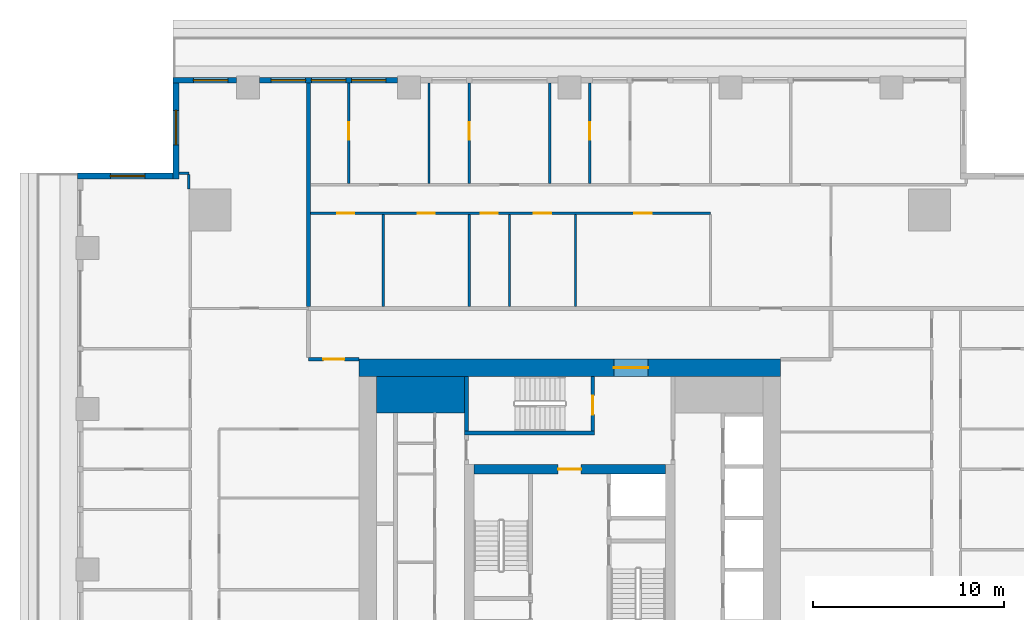
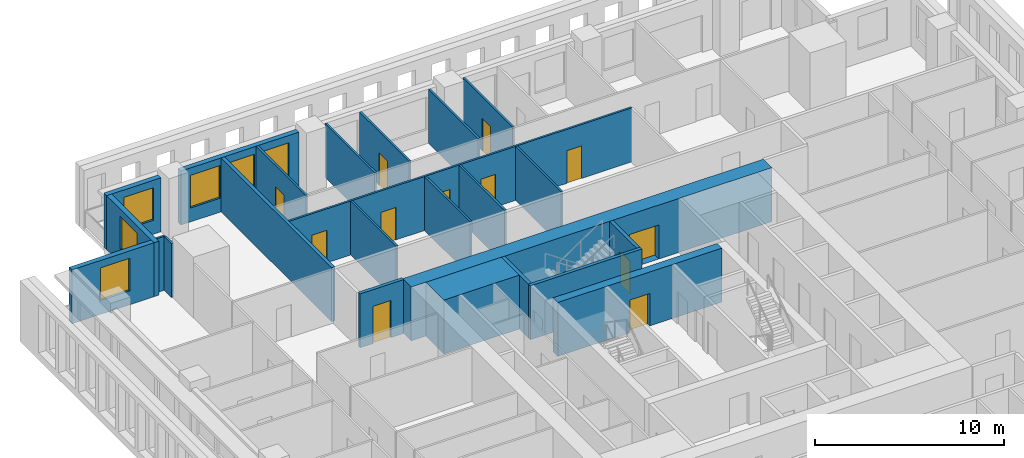
# One storey, part 7 of 14: 24 walls, 12 doors, 6 windows, 18 openings.
"""IFC4 building model written with IfcOpenShell, lengths in metres."""

import ifcopenshell
import ifcopenshell.guid

model = None  # the IFC model being written
_history = None  # IfcOwnerHistory: only IFC2X3 demands one
_inside = {}  # id of a spatial element -> (the spatial element, [elements in it])
_under = {}  # id of a project, library or spatial element -> (it, [spatial elements below it])
_declared = {}  # id of a project -> (the project, [libraries it declares])
_typed = {}  # id of a type object -> (the type object, [elements of that type])
_made_of = {}  # id of a material, layer set ... -> (it, [elements and type objects made of it])


def new_model(schema):
    """Start an empty IFC model of exactly this schema.

    Asked for "IFC4X3", IfcOpenShell would pick the latest addendum, in which some entities
    have other attributes; the version numbers below select the first issue.
    IFC2X3 requires an IfcOwnerHistory on every rooted entity: one is made here for all.
    """
    global model, _history
    if schema == "IFC4X3":
        model = ifcopenshell.file(schema_version=(4, 3, 0, 0))
    else:
        model = ifcopenshell.file(schema=schema)
    _inside.clear()
    _under.clear()
    _declared.clear()
    _typed.clear()
    _made_of.clear()
    _history = None
    if model.schema == "IFC2X3":
        org = make("IfcOrganization", Name="unknown")
        user = make(
            "IfcPersonAndOrganization",
            ThePerson=make("IfcPerson", FamilyName="unknown"),
            TheOrganization=org,
        )
        app = make(
            "IfcApplication",
            ApplicationDeveloper=org,
            Version="unknown",
            ApplicationFullName="unknown",
            ApplicationIdentifier="unknown",
        )
        _history = make(
            "IfcOwnerHistory",
            OwningUser=user,
            OwningApplication=app,
            ChangeAction="ADDED",
            CreationDate=0,
        )
    return model


def make(cls, **values):
    """One entity of the class cls with the attributes given. An attribute that is None is left unset."""
    return model.create_entity(
        cls, **{name: value for name, value in values.items() if value is not None}
    )


def rooted(cls, **values):
    """An entity with a GlobalId (a new one), such as an element, a storey or a relation."""
    return make(cls, GlobalId=ifcopenshell.guid.new(), OwnerHistory=_history, **values)


def si_unit(unit_type, name, prefix=None):
    """IfcSIUnit, for example si_unit("LENGTHUNIT", "METRE", prefix="MILLI")."""
    return make("IfcSIUnit", UnitType=unit_type, Prefix=prefix, Name=name)


def assignment(units):
    """IfcUnitAssignment: the units of a project."""
    return None if units is None else make("IfcUnitAssignment", Units=units)


def point(xyz):
    """IfcCartesianPoint."""
    return None if xyz is None else make("IfcCartesianPoint", Coordinates=xyz)


def direction(xyz):
    """IfcDirection."""
    return None if xyz is None else make("IfcDirection", DirectionRatios=xyz)


def frame(location, z_axis=None, x_axis=None):
    """IfcAxis2Placement3D, a coordinate frame: its origin and axes. An axis left out is left unset."""
    return make(
        "IfcAxis2Placement3D",
        Location=point(location),
        Axis=direction(z_axis),
        RefDirection=direction(x_axis),
    )


def frame_2d(location, x_axis=None):
    """IfcAxis2Placement2D, a coordinate frame in the plane: its origin and x axis."""
    return make(
        "IfcAxis2Placement2D", Location=point(location), RefDirection=direction(x_axis)
    )


def origin():
    """The frame at (0, 0, 0) with its axes left unset."""
    return frame((0.0, 0.0, 0.0))


def place(relative_to, where):
    """IfcLocalPlacement: puts the frame where relative to a parent placement (None: the world)."""
    return make(
        "IfcLocalPlacement", PlacementRelTo=relative_to, RelativePlacement=where
    )


def context(
    kind, dimensions, precision=None, world=None, true_north=None, identifier=None
):
    """IfcGeometricRepresentationContext, for example the 3D "Model" context."""
    return make(
        "IfcGeometricRepresentationContext",
        ContextIdentifier=identifier,
        ContextType=kind,
        CoordinateSpaceDimension=dimensions,
        Precision=precision,
        WorldCoordinateSystem=world,
        TrueNorth=true_north,
    )


def subcontext(parent, identifier, kind, view, scale=None):
    """IfcGeometricRepresentationSubContext, for example "Body" below "Model"."""
    return make(
        "IfcGeometricRepresentationSubContext",
        ContextIdentifier=identifier,
        ContextType=kind,
        ParentContext=parent,
        TargetScale=scale,
        TargetView=view,
    )


def project(units=None, contexts=None):
    """IfcProject with its units and contexts."""
    return rooted(
        "IfcProject",
        Name="project",
        RepresentationContexts=contexts,
        UnitsInContext=assignment(units),
    )


def spatial(cls, under=None, at=None, **own):
    """A site, building, storey or space (cls), placed at a placement, below another one or the project."""
    s = rooted(cls, ObjectPlacement=at, **own)
    if under is not None:
        _under.setdefault(under.id(), (under, []))[1].append(s)
    return s


def profile(cls, at=None, kind="AREA", **sizes):
    """A parametric profile (cls). Its sizes go by their IFC names, for example OverallWidth=200.0."""
    return make(cls, ProfileType=kind, Position=at, **sizes)


def rectangle(**sizes):
    """IfcRectangleProfileDef."""
    return profile("IfcRectangleProfileDef", **sizes)


def extrude(swept, where, along, depth):
    """IfcExtrudedAreaSolid: the profile swept, set in the frame where, extruded along a direction by depth."""
    return make(
        "IfcExtrudedAreaSolid",
        SweptArea=swept,
        Position=where,
        ExtrudedDirection=direction(along),
        Depth=depth,
    )


def shape(context_of_items, identifier, shape_type, items):
    """IfcShapeRepresentation: the items that make up one representation, for example the "Body"."""
    return make(
        "IfcShapeRepresentation",
        ContextOfItems=context_of_items,
        RepresentationIdentifier=identifier,
        RepresentationType=shape_type,
        Items=items,
    )


def material(Name=None, Category=None):
    """IfcMaterial."""
    return make("IfcMaterial", Name=Name, Category=Category)


def layer(
    of_material, thickness, ventilated=None, Name=None, Category=None, Priority=None
):
    """IfcMaterialLayer: one layer of a wall or slab, of a material (None: an air gap)."""
    return make(
        "IfcMaterialLayer",
        Material=of_material,
        LayerThickness=thickness,
        IsVentilated=ventilated,
        Name=Name,
        Category=Category,
        Priority=Priority,
    )


def layer_set(layers, Name=None):
    """IfcMaterialLayerSet."""
    return make("IfcMaterialLayerSet", MaterialLayers=layers, LayerSetName=Name)


def made_of(thing, what):
    """Note that an element or type object is made of a material, layer set ...; save() writes the relation."""
    if what is not None:
        _made_of.setdefault(what.id(), (what, []))[1].append(thing)
    return thing


def type_object(cls, material=None, **own):
    """A type object (cls), such as IfcWallType, which elements share."""
    return made_of(rooted(cls, **own), material)


def element(
    cls,
    number,
    at=None,
    inside=None,
    cuts=None,
    type_object=None,
    material=None,
    context=None,
    identifier="Body",
    shape_type=None,
    held_by="IfcProductDefinitionShape",
    body=None,
    shapes=None,
    **own,
):
    """One element of the class cls, such as IfcWall. Its Tag is "e" and its number.

    at: its placement. inside: the storey or other place that contains it. cuts: it is an
    opening in that element (IfcRelVoidsElement). A single representation is given by context,
    identifier, shape_type and body (its items); several are given by shapes. held_by: the class
    of the entity that holds the representations. save() writes the other relations.
    """
    e = rooted(cls, Tag="e%d" % number, ObjectPlacement=at, **own)
    if body is not None:
        shapes = [shape(context, identifier, shape_type, body)]
    if shapes is not None:
        e.Representation = make(held_by, Representations=shapes)
    if inside is not None:
        _inside.setdefault(inside.id(), (inside, []))[1].append(e)
    if cuts is not None:
        rooted(
            "IfcRelVoidsElement", RelatingBuildingElement=cuts, RelatedOpeningElement=e
        )
    if type_object is not None:
        _typed.setdefault(type_object.id(), (type_object, []))[1].append(e)
    return made_of(e, material)


def fill(opening, filler):
    """IfcRelFillsElement: the door or window that sits in an opening."""
    return rooted(
        "IfcRelFillsElement",
        RelatingOpeningElement=opening,
        RelatedBuildingElement=filler,
    )


def aggregate(whole, parts):
    """IfcRelAggregates: a whole, such as a stair, and the parts it consists of."""
    return rooted("IfcRelAggregates", RelatingObject=whole, RelatedObjects=parts)


def save(model, path):
    """Write the relations noted so far, then the file.

    IfcRelAggregates (storeys below a building ...), IfcRelContainedInSpatialStructure (elements
    in a storey), IfcRelDefinesByType, IfcRelAssociatesMaterial and IfcRelDeclares: one each for
    every whole, place, type object, material and project.
    """
    for whole, parts in _under.values():
        aggregate(whole, parts)
    for where, things in _inside.values():
        rooted(
            "IfcRelContainedInSpatialStructure",
            RelatedElements=things,
            RelatingStructure=where,
        )
    for kind, things in _typed.values():
        rooted("IfcRelDefinesByType", RelatedObjects=things, RelatingType=kind)
    for what, things in _made_of.values():
        rooted("IfcRelAssociatesMaterial", RelatedObjects=things, RelatingMaterial=what)
    for by, libraries in _declared.values():
        rooted("IfcRelDeclares", RelatingContext=by, RelatedDefinitions=libraries)
    model.write(path)


model = new_model("IFC4")

# Units and contexts
model_context = context("Model", 3, precision=1e-05, world=origin(), true_north=direction((0.0, 1.0)))
body_context = subcontext(model_context, "Body", "Model", "MODEL_VIEW")
ifc_project = project(units=[si_unit("LENGTHUNIT", "METRE"), si_unit("AREAUNIT", "SQUARE_METRE"), si_unit("VOLUMEUNIT", "CUBIC_METRE"), si_unit("PLANEANGLEUNIT", "RADIAN"), si_unit("MASSUNIT", "GRAM", prefix="KILO")], contexts=[model_context])

# Site, building, storey
site_placement = place(None, origin())
site = spatial("IfcSite", under=ifc_project, at=site_placement, CompositionType="ELEMENT")
building_placement = place(site_placement, origin())
building = spatial("IfcBuilding", under=site, at=building_placement, Name="Khepri Terraces", CompositionType="ELEMENT")
storey_placement = place(building_placement, frame((0.0, 0.0, 279.60009765625)))
storey = spatial("IfcBuildingStorey", under=building, at=storey_placement, Name="L67", CompositionType="ELEMENT", Elevation=279.60009765625)

# Walls
ifc_material_1 = material(Name="Concrete C40/50", Category="concrete")
ifc_layer_1 = layer(ifc_material_1, 1.89990234375, Name="Concrete C40/50", Category="concrete")
ifc_layer_set_1 = layer_set([ifc_layer_1], Name="Concrete C40/50")
wall_type_1 = type_object("IfcWallType", Name="Core wall 1900 C40/50", PredefinedType="SHEAR", material=ifc_layer_set_1)
wall_1_placement = place(storey_placement, frame((-10.10009765625, 9.14990234375, 0.0), z_axis=(0.0, 0.0, 1.0), x_axis=(1.0, 0.0, 0.0)))
element("IfcWall", 1, at=wall_1_placement, inside=storey, type_object=wall_type_1, Name="Core wall PR03 L67", PredefinedType="SHEAR", context=body_context, shape_type="SweptSolid", body=[
    extrude(rectangle(XDim=4.60009765625, YDim=1.89990234375, at=frame_2d((2.300048828125, 0.0))), origin(), (0.0, 0.0, 1.0), 3.47998046875),
])
ifc_layer_2 = layer(ifc_material_1, 0.199951171875, Name="Concrete C40/50", Category="concrete")
ifc_layer_set_2 = layer_set([ifc_layer_2], Name="Concrete C40/50")
wall_type_2 = type_object("IfcWallType", Name="Core wall 200 C40/50", PredefinedType="SHEAR", material=ifc_layer_set_2)
wall_2_placement = place(storey_placement, frame((-5.5, 7.14990234375, 0.0), z_axis=(0.0, 0.0, 1.0), x_axis=(1.0, 0.0, 0.0)))
element("IfcWall", 2, at=wall_2_placement, inside=storey, type_object=wall_type_2, Name="Core wall ST05 L67", PredefinedType="SHEAR", context=body_context, shape_type="SweptSolid", body=[
    extrude(rectangle(XDim=6.800048828125, YDim=0.199951171875, at=frame_2d((3.39990234375, 0.0))), origin(), (0.0, 0.0, 1.0), 3.47998046875),
])
wall_3_placement = place(storey_placement, frame((-5.39990234375, 7.25, 0.0), z_axis=(0.0, 0.0, 1.0), x_axis=(0.0, 1.0, 0.0)))
element("IfcWall", 3, at=wall_3_placement, inside=storey, type_object=wall_type_2, Name="Core wall ST06 L67", PredefinedType="SHEAR", context=body_context, shape_type="SweptSolid", body=[
    extrude(rectangle(XDim=2.85009765625, YDim=0.199951171875, at=frame_2d((1.425048828125, 0.0))), origin(), (0.0, 0.0, 1.0), 3.47998046875),
])

# Wall, opening, door
wall_4_placement = place(storey_placement, frame((1.199951171875, 7.25, 0.0), z_axis=(0.0, 0.0, 1.0), x_axis=(0.0, 1.0, 0.0)))
wall_4 = element("IfcWall", 4, at=wall_4_placement, inside=storey, type_object=wall_type_2, Name="Core wall ST07 L67", PredefinedType="SHEAR", context=body_context, shape_type="SweptSolid", body=[
    extrude(rectangle(XDim=2.85009765625, YDim=0.199951171875, at=frame_2d((1.425048828125, 0.0))), origin(), (0.0, 0.0, 1.0), 3.47998046875),
])
opening_1_placement = place(wall_4_placement, frame((0.85009765625, 0.0, 0.0)))
opening_1 = element("IfcOpeningElement", 5, at=opening_1_placement, cuts=wall_4, Name="Opening L67-C15", PredefinedType="OPENING", context=body_context, shape_type="SweptSolid", body=[
    extrude(rectangle(XDim=1.0, YDim=2.10009765625, at=frame_2d((0.5, 1.050048828125))), frame((0.0, 0.10986328125, 0.0), z_axis=(0.0, -1.0, 0.0), x_axis=(1.0, 0.0, 0.0)), (0.0, 0.0, 1.0), 0.219970703125),
])
ifc_material_2 = material(Name="Painted steel", Category="steel")
door_type_1 = type_object("IfcDoorType", Name="DR-CORE-STAIR-1000", OperationType="NOTDEFINED", PredefinedType="DOOR", material=ifc_material_2)
door_1_placement = place(opening_1_placement, origin())
door_1 = element("IfcDoor", 6, at=door_1_placement, inside=storey, type_object=door_type_1, Name="Stair door L67-C15", OperationType="SINGLE_SWING_LEFT", OverallHeight=2.10009765625, OverallWidth=1.0, PredefinedType="DOOR", context=body_context, shape_type="SweptSolid", body=[
    extrude(rectangle(XDim=1.0, YDim=2.10009765625, at=frame_2d((0.5, 1.050048828125))), frame((0.0, 0.02490234375, 0.0), z_axis=(0.0, -1.0, 0.0), x_axis=(1.0, 0.0, 0.0)), (0.0, 0.0, 1.0), 0.050048828125),
])
fill(opening_1, door_1)

ifc_layer_3 = layer(ifc_material_1, 0.5, Name="Concrete C40/50", Category="concrete")
ifc_layer_set_3 = layer_set([ifc_layer_3], Name="Concrete C40/50")
wall_type_3 = type_object("IfcWallType", Name="Core wall 500 C40/50", PredefinedType="SHEAR", material=ifc_layer_set_3)
wall_5_placement = place(storey_placement, frame((-5.0, 5.25, 0.0), z_axis=(0.0, 0.0, 1.0), x_axis=(1.0, 0.0, 0.0)))
wall_5 = element("IfcWall", 7, at=wall_5_placement, inside=storey, type_object=wall_type_3, Name="Core wall BX04 L67", PredefinedType="SHEAR", context=body_context, shape_type="SweptSolid", body=[
    extrude(rectangle(XDim=10.0, YDim=0.5, at=frame_2d((5.0, 0.0))), origin(), (0.0, 0.0, 1.0), 3.47998046875),
])
opening_2_placement = place(wall_5_placement, frame((4.39990234375, 0.0, 0.0)))
opening_2 = element("IfcOpeningElement", 8, at=opening_2_placement, cuts=wall_5, Name="Opening L67-C13", PredefinedType="OPENING", context=body_context, shape_type="SweptSolid", body=[
    extrude(rectangle(XDim=1.199951171875, YDim=2.10009765625, at=frame_2d((0.60009765625, 1.050048828125))), frame((0.0, 0.260009765625, 0.0), z_axis=(0.0, -1.0, 0.0), x_axis=(1.0, 0.0, 0.0)), (0.0, 0.0, 1.0), 0.52001953125),
])
door_type_2 = type_object("IfcDoorType", Name="DR-CORE-FF-LOBBY-1200", OperationType="NOTDEFINED", PredefinedType="DOOR", material=ifc_material_2)
door_2_placement = place(opening_2_placement, frame((1.199951171875, 0.0, 0.0), z_axis=(0.0, 0.0, 1.0), x_axis=(-1.0, 0.0, 0.0)))
door_2 = element("IfcDoor", 9, at=door_2_placement, inside=storey, type_object=door_type_2, Name="Firefighting lobby door L67-C13", OperationType="SINGLE_SWING_LEFT", OverallHeight=2.10009765625, OverallWidth=1.199951171875, PredefinedType="DOOR", context=body_context, shape_type="SweptSolid", body=[
    extrude(rectangle(XDim=1.199951171875, YDim=2.10009765625, at=frame_2d((0.60009765625, 1.050048828125))), frame((0.0, 0.02490234375, 0.0), z_axis=(0.0, -1.0, 0.0), x_axis=(1.0, 0.0, 0.0)), (0.0, 0.0, 1.0), 0.050048828125),
])
fill(opening_2, door_2)

ifc_layer_4 = layer(ifc_material_1, 0.89990234375, Name="Concrete C40/50", Category="concrete")
ifc_layer_set_4 = layer_set([ifc_layer_4], Name="Concrete C40/50")
wall_type_4 = type_object("IfcWallType", Name="Core wall 900 C40/50", PredefinedType="SHEAR", material=ifc_layer_set_4)
wall_6_placement = place(storey_placement, frame((-11.0, 10.550048828125, 0.0), z_axis=(0.0, 0.0, 1.0), x_axis=(1.0, 0.0, 0.0)))
wall_6 = element("IfcWall", 10, at=wall_6_placement, inside=storey, type_object=wall_type_4, Name="Core wall OW-N L67", PredefinedType="SHEAR", context=body_context, shape_type="SweptSolid", body=[
    extrude(rectangle(XDim=22.0, YDim=0.89990234375, at=frame_2d((11.0, 0.0))), origin(), (0.0, 0.0, 1.0), 3.47998046875),
])
opening_3_placement = place(wall_6_placement, frame((13.300048828125, 0.0, 0.0)))
opening_3 = element("IfcOpeningElement", 11, at=opening_3_placement, cuts=wall_6, Name="Opening L67-C20", PredefinedType="OPENING", context=body_context, shape_type="SweptSolid", body=[
    extrude(rectangle(XDim=1.800048828125, YDim=2.199951171875, at=frame_2d((0.89990234375, 1.10009765625))), frame((0.0, 0.4599609375, 0.0), z_axis=(0.0, -1.0, 0.0), x_axis=(1.0, 0.0, 0.0)), (0.0, 0.0, 1.0), 0.919921875),
])
door_type_3 = type_object("IfcDoorType", Name="DR-CORE-ENTRANCE-1800", OperationType="NOTDEFINED", PredefinedType="DOOR", material=ifc_material_2)
door_3_placement = place(opening_3_placement, origin())
door_3 = element("IfcDoor", 12, at=door_3_placement, inside=storey, type_object=door_type_3, Name="Core entrance door pair L67-C20", OperationType="DOUBLE_DOOR_SINGLE_SWING", OverallHeight=2.199951171875, OverallWidth=1.800048828125, PredefinedType="DOOR", context=body_context, shape_type="SweptSolid", body=[
    extrude(rectangle(XDim=1.800048828125, YDim=2.199951171875, at=frame_2d((0.89990234375, 1.10009765625))), frame((0.0, 0.02490234375, 0.0), z_axis=(0.0, -1.0, 0.0), x_axis=(1.0, 0.0, 0.0)), (0.0, 0.0, 1.0), 0.050048828125),
])
fill(opening_3, door_3)

ifc_material_3 = material(Name="Fire-rated gypsum plasterboard partition, mineral wool")
ifc_layer_5 = layer(ifc_material_3, 0.199951171875, Name="Fire-rated gypsum plasterboard partition, mineral wool")
ifc_layer_set_5 = layer_set([ifc_layer_5], Name="Fire-rated gypsum plasterboard partition, mineral wool")
wall_type_5 = type_object("IfcWallType", Name="WL-CORR-200", PredefinedType="PARTITIONING", material=ifc_layer_set_5)
wall_7_placement = place(storey_placement, frame((-13.64990234375, 11.0, 0.0), z_axis=(0.0, 0.0, 1.0), x_axis=(1.0, 0.0, 0.0)))
wall_7 = element("IfcWall", 13, at=wall_7_placement, inside=storey, type_object=wall_type_5, Name="Partition P-068 L67", PredefinedType="PARTITIONING", context=body_context, shape_type="SweptSolid", body=[
    extrude(rectangle(XDim=2.64990234375, YDim=0.199951171875, at=frame_2d((1.324951171875, 0.0))), origin(), (0.0, 0.0, 1.0), 3.47998046875),
])
opening_4_placement = place(wall_7_placement, frame((0.77490234375, 0.0, 0.0)))
opening_4 = element("IfcOpeningElement", 14, at=opening_4_placement, cuts=wall_7, Name="Opening D1", PredefinedType="OPENING", context=body_context, shape_type="SweptSolid", body=[
    extrude(rectangle(XDim=1.10009765625, YDim=2.39990234375, at=frame_2d((0.550048828125, 1.199951171875))), frame((0.0, 0.10986328125, 0.0), z_axis=(0.0, -1.0, 0.0), x_axis=(1.0, 0.0, 0.0)), (0.0, 0.0, 1.0), 0.219970703125),
])
ifc_material_4 = material(Name="Solid-core timber door leaf, flat entrance door", Category="wood")
door_type_4 = type_object("IfcDoorType", Name="DR-ENT-1100", OperationType="NOTDEFINED", PredefinedType="DOOR", material=ifc_material_4)
door_4_placement = place(opening_4_placement, frame((1.10009765625, 0.0, 0.0), z_axis=(0.0, 0.0, 1.0), x_axis=(-1.0, 0.0, 0.0)))
door_4 = element("IfcDoor", 15, at=door_4_placement, inside=storey, type_object=door_type_4, Name="Flat D1 entrance door", OperationType="SINGLE_SWING_LEFT", OverallHeight=2.39990234375, OverallWidth=1.10009765625, PredefinedType="DOOR", context=body_context, shape_type="SweptSolid", body=[
    extrude(rectangle(XDim=1.10009765625, YDim=2.39990234375, at=frame_2d((0.550048828125, 1.199951171875))), frame((0.0, 0.02490234375, 0.0), z_axis=(0.0, -1.0, 0.0), x_axis=(1.0, 0.0, 0.0)), (0.0, 0.0, 1.0), 0.050048828125),
])
fill(opening_4, door_4)

# Wall
wall_8_placement = place(storey_placement, frame((-13.64990234375, 13.75, 0.0), z_axis=(0.0, 0.0, 1.0), x_axis=(0.0, 1.0, 0.0)))
element("IfcWall", 16, at=wall_8_placement, inside=storey, type_object=wall_type_5, Name="Partition P-081 L67", PredefinedType="PARTITIONING", context=body_context, shape_type="SweptSolid", body=[
    extrude(rectangle(XDim=11.669921875, YDim=0.199951171875, at=frame_2d((5.8349609375, 0.0))), origin(), (0.0, 0.0, 1.0), 3.47998046875),
])

# Wall, openings, windows
ifc_material_5 = material(Name="Precast concrete C50/60 warm stone", Category="masonry")
ifc_layer_6 = layer(ifc_material_5, 0.300048828125, Name="Precast concrete C50/60 warm stone", Category="masonry")
ifc_layer_set_6 = layer_set([ifc_layer_6], Name="Precast concrete C50/60 warm stone")
wall_type_6 = type_object("IfcWallType", Name="WL-EXT-PRECAST-300", PredefinedType="STANDARD", material=ifc_layer_set_6)
wall_9_placement = place(storey_placement, frame((-9.0, 25.570068359375, 0.0), z_axis=(0.0, 0.0, 1.0), x_axis=(-1.0, 0.0, 0.0)))
wall_9 = element("IfcWall", 17, at=wall_9_placement, inside=storey, type_object=wall_type_6, Name="External wall L67 N", PredefinedType="STANDARD", context=body_context, shape_type="SweptSolid", body=[
    extrude(rectangle(XDim=7.199951171875, YDim=0.300048828125, at=frame_2d((3.60009765625, 0.0))), origin(), (0.0, 0.0, 1.0), 3.47998046875),
])
opening_5_placement = place(wall_9_placement, frame((0.60009765625, 0.0, 0.89990234375)))
opening_5 = element("IfcOpeningElement", 18, at=opening_5_placement, cuts=wall_9, Name="Opening W1", PredefinedType="OPENING", context=body_context, shape_type="SweptSolid", body=[
    extrude(rectangle(XDim=1.800048828125, YDim=2.10009765625, at=frame_2d((0.89990234375, 1.050048828125))), frame((0.0, 0.16015625, 0.0), z_axis=(0.0, -1.0, 0.0), x_axis=(1.0, 0.0, 0.0)), (0.0, 0.0, 1.0), 0.320068359375),
])
opening_6_placement = place(wall_9_placement, frame((2.699951171875, 0.0, 0.89990234375)))
opening_6 = element("IfcOpeningElement", 19, at=opening_6_placement, cuts=wall_9, Name="Opening W1", PredefinedType="OPENING", context=body_context, shape_type="SweptSolid", body=[
    extrude(rectangle(XDim=1.800048828125, YDim=2.10009765625, at=frame_2d((0.89990234375, 1.050048828125))), frame((0.0, 0.16015625, 0.0), z_axis=(0.0, -1.0, 0.0), x_axis=(1.0, 0.0, 0.0)), (0.0, 0.0, 1.0), 0.320068359375),
])
opening_7_placement = place(wall_9_placement, frame((4.800048828125, 0.0, 0.89990234375)))
opening_7 = element("IfcOpeningElement", 20, at=opening_7_placement, cuts=wall_9, Name="Opening W1", PredefinedType="OPENING", context=body_context, shape_type="SweptSolid", body=[
    extrude(rectangle(XDim=1.800048828125, YDim=2.10009765625, at=frame_2d((0.89990234375, 1.050048828125))), frame((0.0, 0.16015625, 0.0), z_axis=(0.0, -1.0, 0.0), x_axis=(1.0, 0.0, 0.0)), (0.0, 0.0, 1.0), 0.320068359375),
])
ifc_material_6 = material(Name="Clear glass", Category="glass")
window_type = type_object("IfcWindowType", Name="WIN-RES-1800x2100", PartitioningType="SINGLE_PANEL", PredefinedType="WINDOW", material=ifc_material_6)
window_1_placement = place(opening_5_placement, origin())
window_1 = element("IfcWindow", 21, at=window_1_placement, inside=storey, type_object=window_type, Name="Window L67 N", OverallHeight=2.10009765625, OverallWidth=1.800048828125, PartitioningType="SINGLE_PANEL", PredefinedType="WINDOW", context=body_context, shape_type="SweptSolid", body=[
    extrude(rectangle(XDim=1.800048828125, YDim=2.10009765625, at=frame_2d((0.89990234375, 1.050048828125))), frame((0.0, 0.030029296875, 0.0), z_axis=(0.0, -1.0, 0.0), x_axis=(1.0, 0.0, 0.0)), (0.0, 0.0, 1.0), 0.06005859375),
])
fill(opening_5, window_1)
window_2_placement = place(opening_6_placement, origin())
window_2 = element("IfcWindow", 22, at=window_2_placement, inside=storey, type_object=window_type, Name="Window L67 N", OverallHeight=2.10009765625, OverallWidth=1.800048828125, PartitioningType="SINGLE_PANEL", PredefinedType="WINDOW", context=body_context, shape_type="SweptSolid", body=[
    extrude(rectangle(XDim=1.800048828125, YDim=2.10009765625, at=frame_2d((0.89990234375, 1.050048828125))), frame((0.0, 0.030029296875, 0.0), z_axis=(0.0, -1.0, 0.0), x_axis=(1.0, 0.0, 0.0)), (0.0, 0.0, 1.0), 0.06005859375),
])
fill(opening_6, window_2)
window_3_placement = place(opening_7_placement, origin())
window_3 = element("IfcWindow", 23, at=window_3_placement, inside=storey, type_object=window_type, Name="Window L67 N", OverallHeight=2.10009765625, OverallWidth=1.800048828125, PartitioningType="SINGLE_PANEL", PredefinedType="WINDOW", context=body_context, shape_type="SweptSolid", body=[
    extrude(rectangle(XDim=1.800048828125, YDim=2.10009765625, at=frame_2d((0.89990234375, 1.050048828125))), frame((0.0, 0.030029296875, 0.0), z_axis=(0.0, -1.0, 0.0), x_axis=(1.0, 0.0, 0.0)), (0.0, 0.0, 1.0), 0.06005859375),
])
fill(opening_7, window_3)

# Wall, opening, window
wall_10_placement = place(storey_placement, frame((-17.39990234375, 25.570068359375, 0.0), z_axis=(0.0, 0.0, 1.0), x_axis=(-1.0, 0.0, 0.0)))
wall_10 = element("IfcWall", 24, at=wall_10_placement, inside=storey, type_object=wall_type_6, Name="External wall L67 N", PredefinedType="STANDARD", context=body_context, shape_type="SweptSolid", body=[
    extrude(rectangle(XDim=3.320068359375, YDim=0.300048828125, at=frame_2d((1.66015625, 0.0))), origin(), (0.0, 0.0, 1.0), 3.47998046875),
])
opening_8_placement = place(wall_10_placement, frame((0.45947265625, 0.0, 0.89990234375)))
opening_8 = element("IfcOpeningElement", 25, at=opening_8_placement, cuts=wall_10, Name="Opening W1", PredefinedType="OPENING", context=body_context, shape_type="SweptSolid", body=[
    extrude(rectangle(XDim=1.800048828125, YDim=2.10009765625, at=frame_2d((0.89990234375, 1.050048828125))), frame((0.0, 0.16015625, 0.0), z_axis=(0.0, -1.0, 0.0), x_axis=(1.0, 0.0, 0.0)), (0.0, 0.0, 1.0), 0.320068359375),
])
window_4_placement = place(opening_8_placement, origin())
window_4 = element("IfcWindow", 26, at=window_4_placement, inside=storey, type_object=window_type, Name="Window L67 N", OverallHeight=2.10009765625, OverallWidth=1.800048828125, PartitioningType="SINGLE_PANEL", PredefinedType="WINDOW", context=body_context, shape_type="SweptSolid", body=[
    extrude(rectangle(XDim=1.800048828125, YDim=2.10009765625, at=frame_2d((0.89990234375, 1.050048828125))), frame((0.0, 0.030029296875, 0.0), z_axis=(0.0, -1.0, 0.0), x_axis=(1.0, 0.0, 0.0)), (0.0, 0.0, 1.0), 0.06005859375),
])
fill(opening_8, window_4)

wall_11_placement = place(storey_placement, frame((-20.570068359375, 25.419921875, 0.0), z_axis=(0.0, 0.0, 1.0), x_axis=(0.0, -1.0, 0.0)))
wall_11 = element("IfcWall", 27, at=wall_11_placement, inside=storey, type_object=wall_type_6, Name="External wall L67 W", PredefinedType="STANDARD", context=body_context, shape_type="SweptSolid", body=[
    extrude(rectangle(XDim=5.0, YDim=0.300048828125, at=frame_2d((2.5, 0.0))), origin(), (0.0, 0.0, 1.0), 3.47998046875),
])
opening_9_placement = place(wall_11_placement, frame((1.419921875, 0.0, 0.89990234375)))
opening_9 = element("IfcOpeningElement", 28, at=opening_9_placement, cuts=wall_11, Name="Opening W1", PredefinedType="OPENING", context=body_context, shape_type="SweptSolid", body=[
    extrude(rectangle(XDim=1.800048828125, YDim=2.10009765625, at=frame_2d((0.89990234375, 1.050048828125))), frame((0.0, 0.16015625, 0.0), z_axis=(0.0, -1.0, 0.0), x_axis=(1.0, 0.0, 0.0)), (0.0, 0.0, 1.0), 0.320068359375),
])
window_5_placement = place(opening_9_placement, origin())
window_5 = element("IfcWindow", 29, at=window_5_placement, inside=storey, type_object=window_type, Name="Window L67 W", OverallHeight=2.10009765625, OverallWidth=1.800048828125, PartitioningType="SINGLE_PANEL", PredefinedType="WINDOW", context=body_context, shape_type="SweptSolid", body=[
    extrude(rectangle(XDim=1.800048828125, YDim=2.10009765625, at=frame_2d((0.89990234375, 1.050048828125))), frame((0.0, 0.030029296875, 0.0), z_axis=(0.0, -1.0, 0.0), x_axis=(1.0, 0.0, 0.0)), (0.0, 0.0, 1.0), 0.06005859375),
])
fill(opening_9, window_5)

wall_12_placement = place(storey_placement, frame((-20.719970703125, 20.570068359375, 0.0), z_axis=(0.0, 0.0, 1.0), x_axis=(-1.0, 0.0, 0.0)))
wall_12 = element("IfcWall", 30, at=wall_12_placement, inside=storey, type_object=wall_type_6, Name="External wall L67 N", PredefinedType="STANDARD", context=body_context, shape_type="SweptSolid", body=[
    extrude(rectangle(XDim=5.0, YDim=0.300048828125, at=frame_2d((2.5, 0.0))), origin(), (0.0, 0.0, 1.0), 3.47998046875),
])
opening_10_placement = place(wall_12_placement, frame((1.47998046875, 0.0, 0.89990234375)))
opening_10 = element("IfcOpeningElement", 31, at=opening_10_placement, cuts=wall_12, Name="Opening W1", PredefinedType="OPENING", context=body_context, shape_type="SweptSolid", body=[
    extrude(rectangle(XDim=1.800048828125, YDim=2.10009765625, at=frame_2d((0.89990234375, 1.050048828125))), frame((0.0, 0.16015625, 0.0), z_axis=(0.0, -1.0, 0.0), x_axis=(1.0, 0.0, 0.0)), (0.0, 0.0, 1.0), 0.320068359375),
])
window_6_placement = place(opening_10_placement, origin())
window_6 = element("IfcWindow", 32, at=window_6_placement, inside=storey, type_object=window_type, Name="Window L67 N", OverallHeight=2.10009765625, OverallWidth=1.800048828125, PartitioningType="SINGLE_PANEL", PredefinedType="WINDOW", context=body_context, shape_type="SweptSolid", body=[
    extrude(rectangle(XDim=1.800048828125, YDim=2.10009765625, at=frame_2d((0.89990234375, 1.050048828125))), frame((0.0, 0.030029296875, 0.0), z_axis=(0.0, -1.0, 0.0), x_axis=(1.0, 0.0, 0.0)), (0.0, 0.0, 1.0), 0.06005859375),
])
fill(opening_10, window_6)

# Walls
ifc_material_7 = material(Name="Gypsum plasterboard partition")
ifc_layer_7 = layer(ifc_material_7, 0.1201171875, Name="Gypsum plasterboard partition")
ifc_layer_set_7 = layer_set([ifc_layer_7], Name="Gypsum plasterboard partition")
wall_type_7 = type_object("IfcWallType", Name="WL-PART-120", PredefinedType="PARTITIONING", material=ifc_layer_set_7)
for number, where, z_axis, x_axis, name in (
    (33, (-9.75, 13.75, 0.0), (0.0, 0.0, 1.0), (0.0, 1.0, 0.0), "Partition P-082 L67"),
    (34, (-5.25, 13.75, 0.0), (0.0, 0.0, 1.0), (0.0, 1.0, 0.0), "Partition P-083 L67"),
    (35, (-3.14990234375, 13.75, 0.0), (0.0, 0.0, 1.0), (0.0, 1.0, 0.0), "Partition P-084 L67"),
    (36, (0.300048828125, 13.75, 0.0), (0.0, 0.0, 1.0), (0.0, 1.0, 0.0), "Partition P-085 L67"),
):
    element("IfcWall", number, at=place(storey_placement, frame(where, z_axis=z_axis, x_axis=x_axis)), inside=storey, type_object=wall_type_7, Name=name, PredefinedType="PARTITIONING", context=body_context, shape_type="SweptSolid", body=[
        extrude(rectangle(XDim=4.81005859375, YDim=0.1201171875, at=frame_2d((2.405029296875, 0.0))), origin(), (0.0, 0.0, 1.0), 3.47998046875),
    ])

# Wall, openings, doors
wall_13_placement = place(storey_placement, frame((-13.550048828125, 18.6201171875, 0.0), z_axis=(0.0, 0.0, 1.0), x_axis=(1.0, 0.0, 0.0)))
wall_13 = element("IfcWall", 37, at=wall_13_placement, inside=storey, type_object=wall_type_7, Name="Partition P-088 L67", PredefinedType="PARTITIONING", context=body_context, shape_type="SweptSolid", body=[
    extrude(rectangle(XDim=20.900146484375, YDim=0.1201171875, at=frame_2d((10.4501953125, 0.0))), origin(), (0.0, 0.0, 1.0), 3.47998046875),
])
opening_11_placement = place(wall_13_placement, frame((16.925048828125, 0.0, 0.0)))
opening_11 = element("IfcOpeningElement", 38, at=opening_11_placement, cuts=wall_13, Name="Opening D3", PredefinedType="OPENING", context=body_context, shape_type="SweptSolid", body=[
    extrude(rectangle(XDim=0.89990234375, YDim=2.10009765625, at=frame_2d((0.449951171875, 1.050048828125))), frame((0.0, 0.070068359375, 0.0), z_axis=(0.0, -1.0, 0.0), x_axis=(1.0, 0.0, 0.0)), (0.0, 0.0, 1.0), 0.14013671875),
])
opening_12_placement = place(wall_13_placement, frame((11.675048828125, 0.0, 0.0)))
opening_12 = element("IfcOpeningElement", 39, at=opening_12_placement, cuts=wall_13, Name="Opening D3", PredefinedType="OPENING", context=body_context, shape_type="SweptSolid", body=[
    extrude(rectangle(XDim=0.89990234375, YDim=2.10009765625, at=frame_2d((0.449951171875, 1.050048828125))), frame((0.0, 0.070068359375, 0.0), z_axis=(0.0, -1.0, 0.0), x_axis=(1.0, 0.0, 0.0)), (0.0, 0.0, 1.0), 0.14013671875),
])
opening_13_placement = place(wall_13_placement, frame((8.89990234375, 0.0, 0.0)))
opening_13 = element("IfcOpeningElement", 40, at=opening_13_placement, cuts=wall_13, Name="Opening D4", PredefinedType="OPENING", context=body_context, shape_type="SweptSolid", body=[
    extrude(rectangle(XDim=0.89990234375, YDim=2.10009765625, at=frame_2d((0.449951171875, 1.050048828125))), frame((0.0, 0.070068359375, 0.0), z_axis=(0.0, -1.0, 0.0), x_axis=(1.0, 0.0, 0.0)), (0.0, 0.0, 1.0), 0.14013671875),
])
opening_14_placement = place(wall_13_placement, frame((5.60009765625, 0.0, 0.0)))
opening_14 = element("IfcOpeningElement", 41, at=opening_14_placement, cuts=wall_13, Name="Opening D3", PredefinedType="OPENING", context=body_context, shape_type="SweptSolid", body=[
    extrude(rectangle(XDim=0.89990234375, YDim=2.10009765625, at=frame_2d((0.449951171875, 1.050048828125))), frame((0.0, 0.070068359375, 0.0), z_axis=(0.0, -1.0, 0.0), x_axis=(1.0, 0.0, 0.0)), (0.0, 0.0, 1.0), 0.14013671875),
])
opening_15_placement = place(wall_13_placement, frame((1.39990234375, 0.0, 0.0)))
opening_15 = element("IfcOpeningElement", 42, at=opening_15_placement, cuts=wall_13, Name="Opening D4", PredefinedType="OPENING", context=body_context, shape_type="SweptSolid", body=[
    extrude(rectangle(XDim=0.89990234375, YDim=2.10009765625, at=frame_2d((0.449951171875, 1.050048828125))), frame((0.0, 0.070068359375, 0.0), z_axis=(0.0, -1.0, 0.0), x_axis=(1.0, 0.0, 0.0)), (0.0, 0.0, 1.0), 0.14013671875),
])
ifc_material_8 = material(Name="Timber door leaf", Category="wood")
door_type_5 = type_object("IfcDoorType", Name="DR-INT-900", OperationType="NOTDEFINED", PredefinedType="DOOR", material=ifc_material_8)
door_5_placement = place(opening_11_placement, frame((0.89990234375, 0.0, 0.0), z_axis=(0.0, 0.0, 1.0), x_axis=(-1.0, 0.0, 0.0)))
door_5 = element("IfcDoor", 43, at=door_5_placement, inside=storey, type_object=door_type_5, Name="Door Kitchen", OperationType="SINGLE_SWING_LEFT", OverallHeight=2.10009765625, OverallWidth=0.89990234375, PredefinedType="DOOR", context=body_context, shape_type="SweptSolid", body=[
    extrude(rectangle(XDim=0.89990234375, YDim=2.10009765625, at=frame_2d((0.449951171875, 1.050048828125))), frame((0.0, 0.02490234375, 0.0), z_axis=(0.0, -1.0, 0.0), x_axis=(1.0, 0.0, 0.0)), (0.0, 0.0, 1.0), 0.050048828125),
])
fill(opening_11, door_5)
door_6_placement = place(opening_12_placement, frame((0.89990234375, 0.0, 0.0), z_axis=(0.0, 0.0, 1.0), x_axis=(-1.0, 0.0, 0.0)))
door_6 = element("IfcDoor", 44, at=door_6_placement, inside=storey, type_object=door_type_5, Name="Door Service Store", OperationType="SINGLE_SWING_LEFT", OverallHeight=2.10009765625, OverallWidth=0.89990234375, PredefinedType="DOOR", context=body_context, shape_type="SweptSolid", body=[
    extrude(rectangle(XDim=0.89990234375, YDim=2.10009765625, at=frame_2d((0.449951171875, 1.050048828125))), frame((0.0, 0.02490234375, 0.0), z_axis=(0.0, -1.0, 0.0), x_axis=(1.0, 0.0, 0.0)), (0.0, 0.0, 1.0), 0.050048828125),
])
fill(opening_12, door_6)
door_7_placement = place(opening_14_placement, frame((0.89990234375, 0.0, 0.0), z_axis=(0.0, 0.0, 1.0), x_axis=(-1.0, 0.0, 0.0)))
door_7 = element("IfcDoor", 45, at=door_7_placement, inside=storey, type_object=door_type_5, Name="Door Utility Room", OperationType="SINGLE_SWING_RIGHT", OverallHeight=2.10009765625, OverallWidth=0.89990234375, PredefinedType="DOOR", context=body_context, shape_type="SweptSolid", body=[
    extrude(rectangle(XDim=0.89990234375, YDim=2.10009765625, at=frame_2d((0.449951171875, 1.050048828125))), frame((0.0, 0.02490234375, 0.0), z_axis=(0.0, -1.0, 0.0), x_axis=(1.0, 0.0, 0.0)), (0.0, 0.0, 1.0), 0.050048828125),
])
fill(opening_14, door_7)
ifc_material_9 = material(Name="Timber door leaf, moisture resistant", Category="wood")
door_type_6 = type_object("IfcDoorType", Name="DR-WET-900", OperationType="NOTDEFINED", PredefinedType="DOOR", material=ifc_material_9)
door_8_placement = place(opening_13_placement, frame((0.89990234375, 0.0, 0.0), z_axis=(0.0, 0.0, 1.0), x_axis=(-1.0, 0.0, 0.0)))
door_8 = element("IfcDoor", 46, at=door_8_placement, inside=storey, type_object=door_type_6, Name="Door Powder Room", OperationType="SINGLE_SWING_RIGHT", OverallHeight=2.10009765625, OverallWidth=0.89990234375, PredefinedType="DOOR", context=body_context, shape_type="SweptSolid", body=[
    extrude(rectangle(XDim=0.89990234375, YDim=2.10009765625, at=frame_2d((0.449951171875, 1.050048828125))), frame((0.0, 0.02490234375, 0.0), z_axis=(0.0, -1.0, 0.0), x_axis=(1.0, 0.0, 0.0)), (0.0, 0.0, 1.0), 0.050048828125),
])
fill(opening_13, door_8)
door_9_placement = place(opening_15_placement, frame((0.89990234375, 0.0, 0.0), z_axis=(0.0, 0.0, 1.0), x_axis=(-1.0, 0.0, 0.0)))
door_9 = element("IfcDoor", 47, at=door_9_placement, inside=storey, type_object=door_type_6, Name="Door Guest Bathroom", OperationType="SINGLE_SWING_RIGHT", OverallHeight=2.10009765625, OverallWidth=0.89990234375, PredefinedType="DOOR", context=body_context, shape_type="SweptSolid", body=[
    extrude(rectangle(XDim=0.89990234375, YDim=2.10009765625, at=frame_2d((0.449951171875, 1.050048828125))), frame((0.0, 0.02490234375, 0.0), z_axis=(0.0, -1.0, 0.0), x_axis=(1.0, 0.0, 0.0)), (0.0, 0.0, 1.0), 0.050048828125),
])
fill(opening_15, door_9)

# Wall
wall_14_placement = place(storey_placement, frame((-19.90087890625, 19.89990234375, 0.0), z_axis=(0.0, 0.0, 1.0), x_axis=(0.0, 1.0, 0.0)))
element("IfcWall", 48, at=wall_14_placement, inside=storey, type_object=wall_type_7, Name="Partition P-089 L67", PredefinedType="PARTITIONING", context=body_context, shape_type="SweptSolid", body=[
    extrude(rectangle(XDim=0.759033203125, YDim=0.1201171875, at=frame_2d((0.37939453125, 0.0))), origin(), (0.0, 0.0, 1.0), 3.47998046875),
])

# Wall, opening, door
wall_15_placement = place(storey_placement, frame((-11.550048828125, 20.179931640625, 0.0), z_axis=(0.0, 0.0, 1.0), x_axis=(0.0, 1.0, 0.0)))
wall_15 = element("IfcWall", 49, at=wall_15_placement, inside=storey, type_object=wall_type_7, Name="Partition P-091 L67", PredefinedType="PARTITIONING", context=body_context, shape_type="SweptSolid", body=[
    extrude(rectangle(XDim=5.239990234375, YDim=0.1201171875, at=frame_2d((2.6201171875, 0.0))), origin(), (0.0, 0.0, 1.0), 3.47998046875),
])
opening_16_placement = place(wall_15_placement, frame((2.2900390625, 0.0, 0.0)))
opening_16 = element("IfcOpeningElement", 50, at=opening_16_placement, cuts=wall_15, Name="Opening D4", PredefinedType="OPENING", context=body_context, shape_type="SweptSolid", body=[
    extrude(rectangle(XDim=0.89990234375, YDim=2.10009765625, at=frame_2d((0.449951171875, 1.050048828125))), frame((0.0, 0.070068359375, 0.0), z_axis=(0.0, -1.0, 0.0), x_axis=(1.0, 0.0, 0.0)), (0.0, 0.0, 1.0), 0.14013671875),
])
door_10_placement = place(opening_16_placement, origin())
door_10 = element("IfcDoor", 51, at=door_10_placement, inside=storey, type_object=door_type_6, Name="Door Bathroom", OperationType="SINGLE_SWING_RIGHT", OverallHeight=2.10009765625, OverallWidth=0.89990234375, PredefinedType="DOOR", context=body_context, shape_type="SweptSolid", body=[
    extrude(rectangle(XDim=0.89990234375, YDim=2.10009765625, at=frame_2d((0.449951171875, 1.050048828125))), frame((0.0, 0.02490234375, 0.0), z_axis=(0.0, -1.0, 0.0), x_axis=(1.0, 0.0, 0.0)), (0.0, 0.0, 1.0), 0.050048828125),
])
fill(opening_16, door_10)

# Wall
wall_16_placement = place(storey_placement, frame((-7.35009765625, 20.179931640625, 0.0), z_axis=(0.0, 0.0, 1.0), x_axis=(0.0, 1.0, 0.0)))
element("IfcWall", 52, at=wall_16_placement, inside=storey, type_object=wall_type_7, Name="Partition P-092 L67", PredefinedType="PARTITIONING", context=body_context, shape_type="SweptSolid", body=[
    extrude(rectangle(XDim=5.239990234375, YDim=0.1201171875, at=frame_2d((2.6201171875, 0.0))), origin(), (0.0, 0.0, 1.0), 3.47998046875),
])

# Wall, opening, door
wall_17_placement = place(storey_placement, frame((-5.25, 20.179931640625, 0.0), z_axis=(0.0, 0.0, 1.0), x_axis=(0.0, 1.0, 0.0)))
wall_17 = element("IfcWall", 53, at=wall_17_placement, inside=storey, type_object=wall_type_7, Name="Partition P-093 L67", PredefinedType="PARTITIONING", context=body_context, shape_type="SweptSolid", body=[
    extrude(rectangle(XDim=5.239990234375, YDim=0.1201171875, at=frame_2d((2.6201171875, 0.0))), origin(), (0.0, 0.0, 1.0), 3.47998046875),
])
opening_17_placement = place(wall_17_placement, frame((2.2900390625, 0.0, 0.0)))
opening_17 = element("IfcOpeningElement", 54, at=opening_17_placement, cuts=wall_17, Name="Opening D4", PredefinedType="OPENING", context=body_context, shape_type="SweptSolid", body=[
    extrude(rectangle(XDim=0.89990234375, YDim=2.10009765625, at=frame_2d((0.449951171875, 1.050048828125))), frame((0.0, 0.070068359375, 0.0), z_axis=(0.0, -1.0, 0.0), x_axis=(1.0, 0.0, 0.0)), (0.0, 0.0, 1.0), 0.14013671875),
])
door_11_placement = place(opening_17_placement, origin())
door_11 = element("IfcDoor", 55, at=door_11_placement, inside=storey, type_object=door_type_6, Name="Door Bathroom", OperationType="SINGLE_SWING_RIGHT", OverallHeight=2.10009765625, OverallWidth=0.89990234375, PredefinedType="DOOR", context=body_context, shape_type="SweptSolid", body=[
    extrude(rectangle(XDim=0.89990234375, YDim=2.10009765625, at=frame_2d((0.449951171875, 1.050048828125))), frame((0.0, 0.02490234375, 0.0), z_axis=(0.0, -1.0, 0.0), x_axis=(1.0, 0.0, 0.0)), (0.0, 0.0, 1.0), 0.050048828125),
])
fill(opening_17, door_11)

# Wall
wall_18_placement = place(storey_placement, frame((-1.050048828125, 20.179931640625, 0.0), z_axis=(0.0, 0.0, 1.0), x_axis=(0.0, 1.0, 0.0)))
element("IfcWall", 56, at=wall_18_placement, inside=storey, type_object=wall_type_7, Name="Partition P-094 L67", PredefinedType="PARTITIONING", context=body_context, shape_type="SweptSolid", body=[
    extrude(rectangle(XDim=5.239990234375, YDim=0.1201171875, at=frame_2d((2.6201171875, 0.0))), origin(), (0.0, 0.0, 1.0), 3.47998046875),
])

# Wall, opening, door
wall_19_placement = place(storey_placement, frame((1.050048828125, 20.179931640625, 0.0), z_axis=(0.0, 0.0, 1.0), x_axis=(0.0, 1.0, 0.0)))
wall_19 = element("IfcWall", 57, at=wall_19_placement, inside=storey, type_object=wall_type_7, Name="Partition P-095 L67", PredefinedType="PARTITIONING", context=body_context, shape_type="SweptSolid", body=[
    extrude(rectangle(XDim=5.239990234375, YDim=0.1201171875, at=frame_2d((2.6201171875, 0.0))), origin(), (0.0, 0.0, 1.0), 3.47998046875),
])
opening_18_placement = place(wall_19_placement, frame((2.2900390625, 0.0, 0.0)))
opening_18 = element("IfcOpeningElement", 58, at=opening_18_placement, cuts=wall_19, Name="Opening D4", PredefinedType="OPENING", context=body_context, shape_type="SweptSolid", body=[
    extrude(rectangle(XDim=0.89990234375, YDim=2.10009765625, at=frame_2d((0.449951171875, 1.050048828125))), frame((0.0, 0.070068359375, 0.0), z_axis=(0.0, -1.0, 0.0), x_axis=(1.0, 0.0, 0.0)), (0.0, 0.0, 1.0), 0.14013671875),
])
door_12_placement = place(opening_18_placement, origin())
door_12 = element("IfcDoor", 59, at=door_12_placement, inside=storey, type_object=door_type_6, Name="Door Bathroom", OperationType="SINGLE_SWING_RIGHT", OverallHeight=2.10009765625, OverallWidth=0.89990234375, PredefinedType="DOOR", context=body_context, shape_type="SweptSolid", body=[
    extrude(rectangle(XDim=0.89990234375, YDim=2.10009765625, at=frame_2d((0.449951171875, 1.050048828125))), frame((0.0, 0.02490234375, 0.0), z_axis=(0.0, -1.0, 0.0), x_axis=(1.0, 0.0, 0.0)), (0.0, 0.0, 1.0), 0.050048828125),
])
fill(opening_18, door_12)

# Wall
wall_20_placement = place(storey_placement, frame((-20.4208984375, 20.718994140625, 0.0), z_axis=(0.0, 0.0, 1.0), x_axis=(1.0, 0.0, 0.0)))
element("IfcWall", 60, at=wall_20_placement, inside=storey, type_object=wall_type_7, Name="Partition P-100 L67", PredefinedType="PARTITIONING", context=body_context, shape_type="SweptSolid", body=[
    extrude(rectangle(XDim=0.52001953125, YDim=0.1201171875, at=frame_2d((0.260009765625, 0.0))), origin(), (0.0, 0.0, 1.0), 3.47998046875),
])

save(model, "model.ifc")
